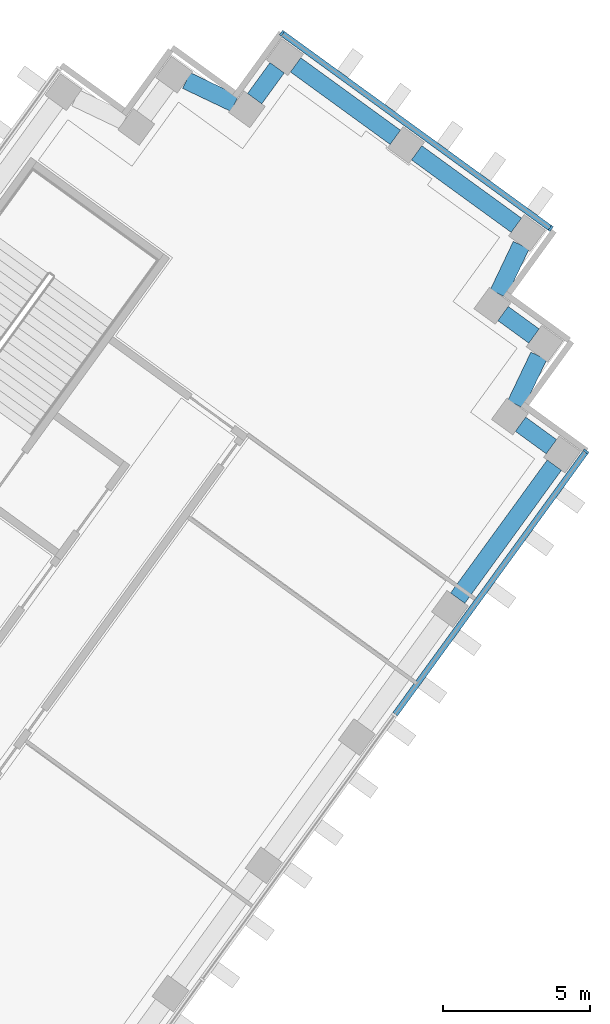
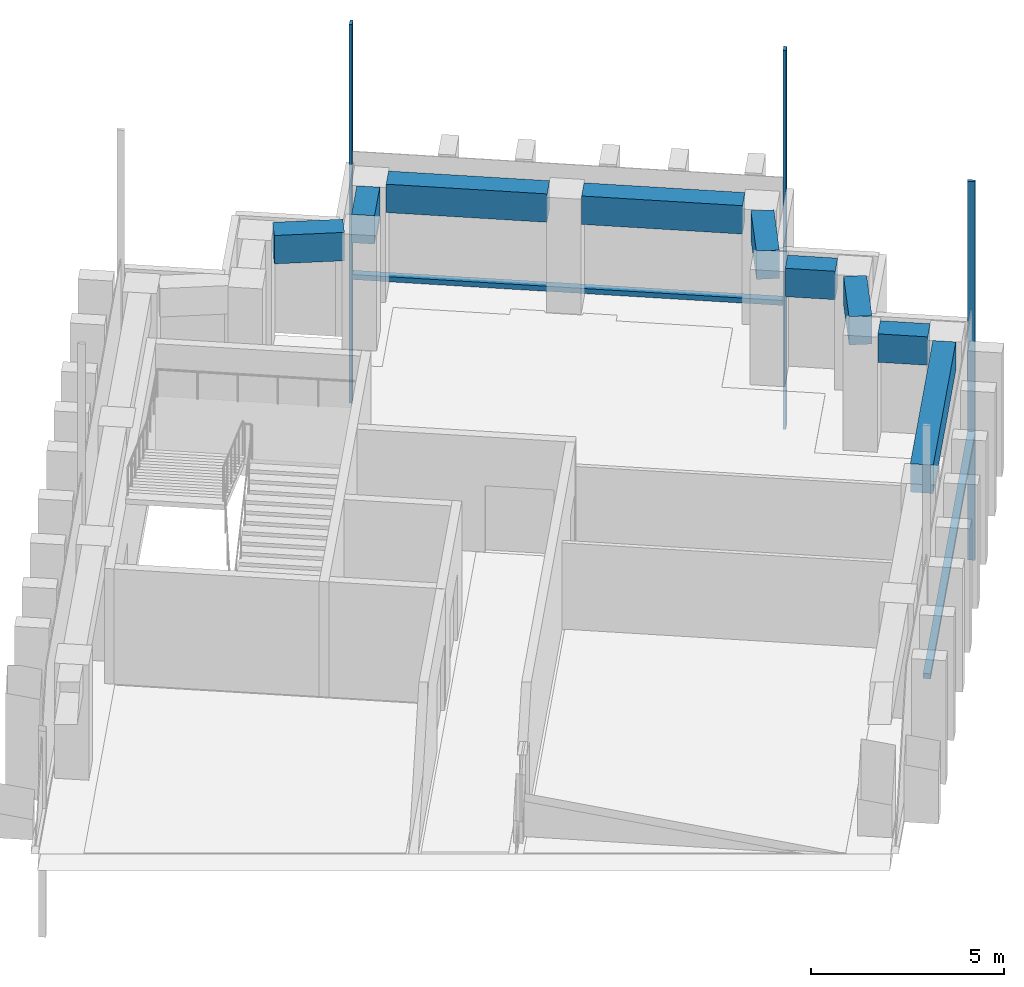
# One storey, part 7 of 18: 9 beams, 5 members, 2 elements without a shape of their own.
"""IFC4 building model written with IfcOpenShell, lengths in metres."""

from ifc_helpers import new_model, si_unit, direction, frame, origin, origin_2d, place, context, subcontext, project, spatial, rectangle, extrude, material, material_profile, profile_set, type_object, element, aggregate, save


model = new_model("IFC4")

# Units and contexts
model_context = context("Model", 3, precision=1e-05, world=origin(), true_north=direction((0.0, 1.0)))
body_context = subcontext(model_context, "Body", "Model", "MODEL_VIEW")
ifc_project = project(units=[si_unit("LENGTHUNIT", "METRE"), si_unit("AREAUNIT", "SQUARE_METRE"), si_unit("VOLUMEUNIT", "CUBIC_METRE"), si_unit("PLANEANGLEUNIT", "RADIAN"), si_unit("MASSUNIT", "GRAM", prefix="KILO")], contexts=[model_context])

# Site, building, storey
site_placement = place(None, origin())
site = spatial("IfcSite", under=ifc_project, at=site_placement, CompositionType="ELEMENT")
building_placement = place(site_placement, origin())
building = spatial("IfcBuilding", under=site, at=building_placement, Name="Quipu Civic Tower", CompositionType="ELEMENT")
storey_placement = place(building_placement, frame((0.0, 0.0, 59.0)))
storey = spatial("IfcBuildingStorey", under=building, at=storey_placement, Name="L13", CompositionType="ELEMENT", Elevation=59.0)

# Curtain wall, member
ifc_material_1 = material(Name="Insulated glass unit", Category="glass")
curtain_wall_type = type_object("IfcCurtainWallType", Name="Office curtain wall CW1", PredefinedType="NOTDEFINED", material=ifc_material_1)
curtain_wall_1_placement = place(storey_placement, origin())
curtain_wall_1 = element("IfcCurtainWall", 1, at=curtain_wall_1_placement, inside=storey, type_object=curtain_wall_type, Name="Office curtain wall CW1 L12 run 26", PredefinedType="NOTDEFINED")
ifc_material_2 = material(Name="Anodised aluminium", Category="aluminium")
ifc_material_profile_1 = material_profile(ifc_material_2, rectangle(XDim=0.199951171875, YDim=0.080078125, at=origin_2d()), Name="RECT 200x80")
ifc_profile_set_1 = profile_set([ifc_material_profile_1], Name="Anodised aluminium")
member_type_1 = type_object("IfcMemberType", Name="Mullion CW1", PredefinedType="MULLION", material=ifc_profile_set_1)
member_1_placement = place(storey_placement, frame((55.23046875, 29.606201171875, -3.919921875), z_axis=(0.0, 0.0, 1.0), x_axis=(-0.809016770908, 0.587785559869, 0.0)))
member_1 = element("IfcMember", 2, at=member_1_placement, type_object=member_type_1, Name="CW1 mullion 5", PredefinedType="MULLION", context=body_context, shape_type="SweptSolid", body=[
    extrude(rectangle(XDim=0.199951171875, YDim=0.080078125, at=origin_2d()), origin(), (0.0, 0.0, 1.0), 12.0),
])

# Curtain wall, members
curtain_wall_2_placement = place(storey_placement, origin())
curtain_wall_2 = element("IfcCurtainWall", 3, at=curtain_wall_2_placement, inside=storey, type_object=curtain_wall_type, Name="Office curtain wall CW1 L12 run 31", PredefinedType="NOTDEFINED")
member_2_placement = place(storey_placement, frame((54.027099609375, 37.204833984375, -3.919921875), z_axis=(0.0, 0.0, 1.0), x_axis=(-0.587782012621, -0.809019348124, 0.0)))
member_2 = element("IfcMember", 4, at=member_2_placement, type_object=member_type_1, Name="CW1 mullion 1", PredefinedType="MULLION", context=body_context, shape_type="SweptSolid", body=[
    extrude(rectangle(XDim=0.199951171875, YDim=0.080078125, at=origin_2d()), origin(), (0.0, 0.0, 1.0), 12.0),
])
member_3_placement = place(storey_placement, frame((44.869140625, 43.858642578125, -3.919921875), z_axis=(0.0, 0.0, 1.0), x_axis=(-0.587782012621, -0.809019348124, 0.0)))
member_3 = element("IfcMember", 5, at=member_3_placement, type_object=member_type_1, Name="CW1 mullion 2", PredefinedType="MULLION", context=body_context, shape_type="SweptSolid", body=[
    extrude(rectangle(XDim=0.199951171875, YDim=0.080078125, at=origin_2d()), origin(), (0.0, 0.0, 1.0), 12.0),
])

# Beams
ifc_material_3 = material(Name="Concrete C50/60", Category="concrete")
ifc_material_profile_2 = material_profile(ifc_material_3, rectangle(XDim=0.60009765625, YDim=0.89990234375, at=origin_2d()), Name="RC600x900")
ifc_profile_set_2 = profile_set([ifc_material_profile_2], Name="Concrete C50/60")
beam_type = type_object("IfcBeamType", Name="Spandrel beam RC 600x900 C50/60", PredefinedType="SPANDREL", material=ifc_profile_set_2)
beam_1_placement = place(storey_placement, frame((50.85693359375, 24.607666015625, 3.199951171875), z_axis=(0.587772657145, 0.809026145135, 0.0), x_axis=(-0.809026145135, 0.587772657145, 0.0)))
element("IfcBeam", 6, at=beam_1_placement, inside=storey, type_object=beam_type, Name="Spandrel beam L13 E-OUT-07 to T-Eo.0-E50", PredefinedType="SPANDREL", context=body_context, shape_type="SweptSolid", body=[
    extrude(rectangle(XDim=0.60009765625, YDim=0.89990234375, at=origin_2d()), origin(), (0.0, 0.0, 1.0), 5.603271484375),
])
beam_2_placement = place(storey_placement, frame((54.051025390625, 29.769775390625, 3.199951171875), z_axis=(-0.808549242423, 0.588428519514, 0.0), x_axis=(-0.588428519514, -0.808549242423, 0.0)))
element("IfcBeam", 7, at=beam_2_placement, inside=storey, type_object=beam_type, Name="Spandrel beam L13 T-Eo.0-E50 to T-Eo.1-E50", PredefinedType="SPANDREL", context=body_context, shape_type="SweptSolid", body=[
    extrude(rectangle(XDim=0.60009765625, YDim=0.89990234375, at=origin_2d()), origin(), (0.0, 0.0, 1.0), 1.2998046875),
])
beam_3_placement = place(storey_placement, frame((52.83349609375, 31.21240234375, 3.199951171875), z_axis=(0.431446050156, 0.902138739776, 0.0), x_axis=(-0.902138739776, 0.431446050156, 0.0)))
element("IfcBeam", 8, at=beam_3_placement, inside=storey, type_object=beam_type, Name="Spandrel beam L13 T-Eo.1-E50 to T-Eo.2-E50", PredefinedType="SPANDREL", context=body_context, shape_type="SweptSolid", body=[
    extrude(rectangle(XDim=0.60009765625, YDim=0.89990234375, at=origin_2d()), origin(), (0.0, 0.0, 1.0), 1.828857421875),
])
beam_4_placement = place(storey_placement, frame((53.4560546875, 33.539794921875, 3.199951171875), z_axis=(-0.808509099783, 0.588483674853, 0.0), x_axis=(-0.588483674853, -0.808509099783, 0.0)))
element("IfcBeam", 9, at=beam_4_placement, inside=storey, type_object=beam_type, Name="Spandrel beam L13 T-Eo.2-E50 to T-Eo.3-E50", PredefinedType="SPANDREL", context=body_context, shape_type="SweptSolid", body=[
    extrude(rectangle(XDim=0.60009765625, YDim=0.89990234375, at=origin_2d()), origin(), (0.0, 0.0, 1.0), 1.302734375),
])
beam_5_placement = place(storey_placement, frame((52.23583984375, 34.984375, 3.199951171875), z_axis=(0.430166558323, 0.902749540072, 0.0), x_axis=(-0.902749540072, 0.430166558323, 0.0)))
element("IfcBeam", 10, at=beam_5_placement, inside=storey, type_object=beam_type, Name="Spandrel beam L13 T-Eo.3-E50 to T-Eo.4-E50", PredefinedType="SPANDREL", context=body_context, shape_type="SweptSolid", body=[
    extrude(rectangle(XDim=0.60009765625, YDim=0.89990234375, at=origin_2d()), origin(), (0.0, 0.0, 1.0), 1.830322265625),
])
beam_6_placement = place(storey_placement, frame((52.85595703125, 37.314453125, 3.199951171875), z_axis=(-0.808959834407, 0.587863918196, 0.0), x_axis=(-0.587863918196, -0.808959834407, 0.0)))
element("IfcBeam", 11, at=beam_6_placement, inside=storey, type_object=beam_type, Name="Spandrel beam L13 T-Eo.4-E50 to TIP-E-01-E50", PredefinedType="SPANDREL", context=body_context, shape_type="SweptSolid", body=[
    extrude(rectangle(XDim=0.60009765625, YDim=0.89990234375, at=origin_2d()), origin(), (0.0, 0.0, 1.0), 4.1982421875),
])
beam_7_placement = place(storey_placement, frame((48.731689453125, 40.3115234375, 3.199951171875), z_axis=(-0.808969789945, 0.58785021813, 0.0), x_axis=(-0.58785021813, -0.808969789945, 0.0)))
element("IfcBeam", 12, at=beam_7_placement, inside=storey, type_object=beam_type, Name="Spandrel beam L13 TIP-E-01-E50 to T-Ei.0-E50", PredefinedType="SPANDREL", context=body_context, shape_type="SweptSolid", body=[
    extrude(rectangle(XDim=0.60009765625, YDim=0.89990234375, at=origin_2d()), origin(), (0.0, 0.0, 1.0), 4.199951171875),
])
beam_8_placement = place(storey_placement, frame((44.705322265625, 42.68115234375, 3.199951171875), z_axis=(-0.588383572423, -0.808581951136, 0.0), x_axis=(0.808581951136, -0.588383572423, 0.0)))
element("IfcBeam", 13, at=beam_8_placement, inside=storey, type_object=beam_type, Name="Spandrel beam L13 T-Ei.0-E50 to T-Ei.1-E50", PredefinedType="SPANDREL", context=body_context, shape_type="SweptSolid", body=[
    extrude(rectangle(XDim=0.60009765625, YDim=0.89990234375, at=origin_2d()), origin(), (0.0, 0.0, 1.0), 1.3017578125),
])
beam_9_placement = place(storey_placement, frame((43.261474609375, 41.4619140625, 3.199951171875), z_axis=(-0.902613270121, 0.430452418511, 0.0), x_axis=(-0.430452418511, -0.902613270121, 0.0)))
element("IfcBeam", 14, at=beam_9_placement, inside=storey, type_object=beam_type, Name="Spandrel beam L13 T-Ei.1-E50 to T-Ei.2-E50", PredefinedType="SPANDREL", context=body_context, shape_type="SweptSolid", body=[
    extrude(rectangle(XDim=0.60009765625, YDim=0.89990234375, at=origin_2d()), origin(), (0.0, 0.0, 1.0), 1.826416015625),
])

# Member
ifc_material_4 = material(Name="Anodised aluminium", Category="aluminium")
ifc_material_profile_3 = material_profile(ifc_material_4, rectangle(XDim=0.199951171875, YDim=0.159912109375, at=origin_2d()), Name="RECT 200x160")
ifc_profile_set_3 = profile_set([ifc_material_profile_3], Name="Anodised aluminium")
member_type_2 = type_object("IfcMemberType", Name="Transom CW1", PredefinedType="USERDEFINED", material=ifc_profile_set_3)
member_4_placement = place(storey_placement, frame((48.72802734375, 20.65625, 0.080078125), z_axis=(0.587779179422, 0.809021406539, 0.0), x_axis=(-0.809021406539, 0.587779179422, 0.0)))
member_4 = element("IfcMember", 15, at=member_4_placement, type_object=member_type_2, Name="CW1 transom 4.2", ObjectType="TRANSOM", PredefinedType="USERDEFINED", context=body_context, shape_type="SweptSolid", body=[
    extrude(rectangle(XDim=0.199951171875, YDim=0.159912109375, at=origin_2d()), origin(), (0.0, 0.0, 1.0), 11.02294921875),
])

aggregate(curtain_wall_1, [member_1, member_4])

member_5_placement = place(storey_placement, frame((53.994873046875, 37.228515625, 0.080078125), z_axis=(-0.809032792449, 0.587763507495, 0.0), x_axis=(-0.587763507495, -0.809032792449, 0.0)))
member_5 = element("IfcMember", 16, at=member_5_placement, type_object=member_type_2, Name="CW1 transom 1.2", ObjectType="TRANSOM", PredefinedType="USERDEFINED", context=body_context, shape_type="SweptSolid", body=[
    extrude(rectangle(XDim=0.199951171875, YDim=0.159912109375, at=origin_2d()), origin(), (0.0, 0.0, 1.0), 11.239990234375),
])

aggregate(curtain_wall_2, [member_2, member_3, member_5])

save(model, "model.ifc")
